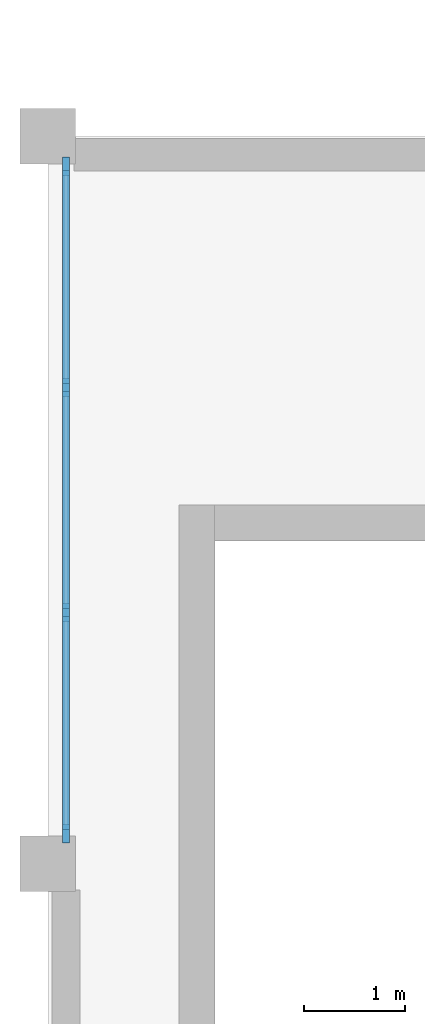
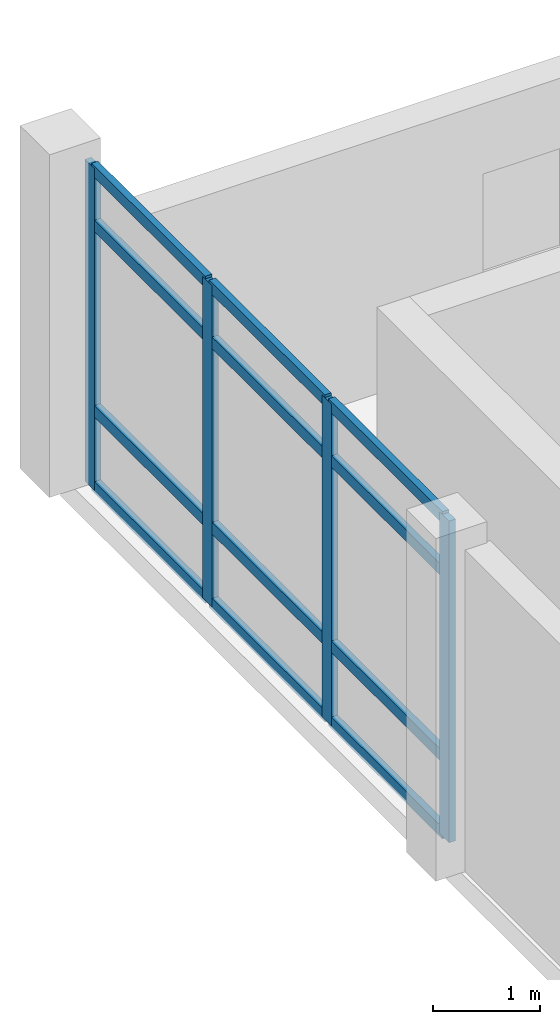
# One storey, part 5 of 32: 16 members, 1 element without a shape of its own.
"""IFC4 building model written with IfcOpenShell, lengths in metres."""

from ifc_helpers import new_model, si_unit, direction, frame, origin, origin_2d, place, context, subcontext, project, spatial, rectangle, extrude, material, layer, layer_set, material_profile, profile_set, type_object, element, aggregate, save


model = new_model("IFC4")

# Units and contexts
model_context = context("Model", 3, precision=1e-05, world=origin(), true_north=direction((0.0, 1.0)))
body_context = subcontext(model_context, "Body", "Model", "MODEL_VIEW")
ifc_project = project(units=[si_unit("LENGTHUNIT", "METRE"), si_unit("AREAUNIT", "SQUARE_METRE"), si_unit("VOLUMEUNIT", "CUBIC_METRE"), si_unit("PLANEANGLEUNIT", "RADIAN"), si_unit("MASSUNIT", "GRAM", prefix="KILO")], contexts=[model_context])

# Site, building, storey
site_placement = place(None, origin())
site = spatial("IfcSite", under=ifc_project, at=site_placement, CompositionType="ELEMENT")
building_placement = place(site_placement, origin())
building = spatial("IfcBuilding", under=site, at=building_placement, Name="Brisavento Harbour Community Centre", CompositionType="ELEMENT")
storey_placement = place(building_placement, frame((0.0, 0.0, 12.89990234375)))
storey = spatial("IfcBuildingStorey", under=building, at=storey_placement, Name="L03", CompositionType="ELEMENT", Elevation=12.89990234375)

# Curtain wall, members
ifc_material = material(Name="Marine-anodised aluminium AW-6063-T6", Category="aluminium")
ifc_layer = layer(ifc_material, 0.179931640625, Name="Marine-anodised aluminium AW-6063-T6")
ifc_layer_set = layer_set([ifc_layer], Name="Marine-anodised aluminium AW-6063-T6")
curtain_wall_type = type_object("IfcCurtainWallType", Name="CW-SYS-10", PredefinedType="USERDEFINED", material=ifc_layer_set)
curtain_wall_placement = place(storey_placement, origin())
curtain_wall = element("IfcCurtainWall", 1, at=curtain_wall_placement, inside=storey, type_object=curtain_wall_type, Name="L03 V1 unitised curtain wall 178", ObjectType="UNITISED CURTAIN WALL", PredefinedType="USERDEFINED")
ifc_material_profile_1 = material_profile(ifc_material, rectangle(XDim=0.070068359375, YDim=0.179931640625, at=origin_2d()), Name="Marine-anodised aluminium AW-6063-T6")
ifc_profile_set_1 = profile_set([ifc_material_profile_1], Name="Marine-anodised aluminium AW-6063-T6")
member_type_1 = type_object("IfcMemberType", Name="CWM-02", PredefinedType="MULLION", material=ifc_profile_set_1)
member_1_placement = place(storey_placement, frame((0.179931640625, 21.89501953125, 0.0), z_axis=(0.0, 0.0, 1.0), x_axis=(-1.0, 0.0, 0.0)))
member_1 = element("IfcMember", 2, at=member_1_placement, type_object=member_type_1, Name="CW-10 mullion 1", PredefinedType="MULLION", context=body_context, shape_type="SweptSolid", body=[
    extrude(rectangle(XDim=0.070068359375, YDim=0.179931640625, at=origin_2d()), origin(), (0.0, 0.0, 1.0), 3.66015625),
])
member_2_placement = place(storey_placement, frame((0.179931640625, 24.086669921875, 0.0), z_axis=(0.0, 0.0, 1.0), x_axis=(-1.0, 0.0, 0.0)))
member_2 = element("IfcMember", 3, at=member_2_placement, type_object=member_type_1, Name="CW-10 mullion 2", PredefinedType="MULLION", context=body_context, shape_type="SweptSolid", body=[
    extrude(rectangle(XDim=0.070068359375, YDim=0.179931640625, at=origin_2d()), origin(), (0.0, 0.0, 1.0), 3.66015625),
])
member_3_placement = place(storey_placement, frame((0.179931640625, 26.313232421875, 0.0), z_axis=(0.0, 0.0, 1.0), x_axis=(-1.0, 0.0, 0.0)))
member_3 = element("IfcMember", 4, at=member_3_placement, type_object=member_type_1, Name="CW-10 mullion 3", PredefinedType="MULLION", context=body_context, shape_type="SweptSolid", body=[
    extrude(rectangle(XDim=0.070068359375, YDim=0.179931640625, at=origin_2d()), origin(), (0.0, 0.0, 1.0), 3.66015625),
])
member_4_placement = place(storey_placement, frame((0.179931640625, 28.5048828125, 0.0), z_axis=(0.0, 0.0, 1.0), x_axis=(-1.0, 0.0, 0.0)))
member_4 = element("IfcMember", 5, at=member_4_placement, type_object=member_type_1, Name="CW-10 mullion 4", PredefinedType="MULLION", context=body_context, shape_type="SweptSolid", body=[
    extrude(rectangle(XDim=0.070068359375, YDim=0.179931640625, at=origin_2d()), origin(), (0.0, 0.0, 1.0), 3.66015625),
])
ifc_material_profile_2 = material_profile(ifc_material, rectangle(XDim=0.070068359375, YDim=0.132080078125, at=origin_2d()), Name="Marine-anodised aluminium AW-6063-T6")
ifc_profile_set_2 = profile_set([ifc_material_profile_2], Name="Marine-anodised aluminium AW-6063-T6")
member_type_2 = type_object("IfcMemberType", Name="CWT-02", PredefinedType="USERDEFINED", material=ifc_profile_set_2)
member_5_placement = place(storey_placement, frame((0.179931640625, 21.929931640625, 0.03515625), z_axis=(0.0, 1.0, 0.0), x_axis=(-1.0, 0.0, 0.0)))
member_5 = element("IfcMember", 6, at=member_5_placement, type_object=member_type_2, Name="CW-10 transom 1.1", ObjectType="TRANSOM", PredefinedType="USERDEFINED", context=body_context, shape_type="SweptSolid", body=[
    extrude(rectangle(XDim=0.070068359375, YDim=0.132080078125, at=origin_2d()), origin(), (0.0, 0.0, 1.0), 2.121826171875),
])
member_6_placement = place(storey_placement, frame((0.179931640625, 21.929931640625, 0.900146484375), z_axis=(0.0, 1.0, 0.0), x_axis=(-1.0, 0.0, 0.0)))
member_6 = element("IfcMember", 7, at=member_6_placement, type_object=member_type_2, Name="CW-10 transom 1.2", ObjectType="TRANSOM", PredefinedType="USERDEFINED", context=body_context, shape_type="SweptSolid", body=[
    extrude(rectangle(XDim=0.070068359375, YDim=0.132080078125, at=origin_2d()), origin(), (0.0, 0.0, 1.0), 2.121826171875),
])
member_7_placement = place(storey_placement, frame((0.179931640625, 21.929931640625, 3.010009765625), z_axis=(0.0, 1.0, 0.0), x_axis=(-1.0, 0.0, 0.0)))
member_7 = element("IfcMember", 8, at=member_7_placement, type_object=member_type_2, Name="CW-10 transom 1.3", ObjectType="TRANSOM", PredefinedType="USERDEFINED", context=body_context, shape_type="SweptSolid", body=[
    extrude(rectangle(XDim=0.070068359375, YDim=0.132080078125, at=origin_2d()), origin(), (0.0, 0.0, 1.0), 2.121826171875),
])
member_8_placement = place(storey_placement, frame((0.179931640625, 21.929931640625, 3.625), z_axis=(0.0, 1.0, 0.0), x_axis=(-1.0, 0.0, 0.0)))
member_8 = element("IfcMember", 9, at=member_8_placement, type_object=member_type_2, Name="CW-10 transom 1.4", ObjectType="TRANSOM", PredefinedType="USERDEFINED", context=body_context, shape_type="SweptSolid", body=[
    extrude(rectangle(XDim=0.070068359375, YDim=0.132080078125, at=origin_2d()), origin(), (0.0, 0.0, 1.0), 2.121826171875),
])
member_9_placement = place(storey_placement, frame((0.179931640625, 24.12158203125, 0.03515625), z_axis=(0.0, 1.0, 0.0), x_axis=(-1.0, 0.0, 0.0)))
member_9 = element("IfcMember", 10, at=member_9_placement, type_object=member_type_2, Name="CW-10 transom 2.1", ObjectType="TRANSOM", PredefinedType="USERDEFINED", context=body_context, shape_type="SweptSolid", body=[
    extrude(rectangle(XDim=0.070068359375, YDim=0.132080078125, at=origin_2d()), origin(), (0.0, 0.0, 1.0), 2.15673828125),
])
member_10_placement = place(storey_placement, frame((0.179931640625, 24.12158203125, 0.900146484375), z_axis=(0.0, 1.0, 0.0), x_axis=(-1.0, 0.0, 0.0)))
member_10 = element("IfcMember", 11, at=member_10_placement, type_object=member_type_2, Name="CW-10 transom 2.2", ObjectType="TRANSOM", PredefinedType="USERDEFINED", context=body_context, shape_type="SweptSolid", body=[
    extrude(rectangle(XDim=0.070068359375, YDim=0.132080078125, at=origin_2d()), origin(), (0.0, 0.0, 1.0), 2.15673828125),
])
member_11_placement = place(storey_placement, frame((0.179931640625, 24.12158203125, 3.010009765625), z_axis=(0.0, 1.0, 0.0), x_axis=(-1.0, 0.0, 0.0)))
member_11 = element("IfcMember", 12, at=member_11_placement, type_object=member_type_2, Name="CW-10 transom 2.3", ObjectType="TRANSOM", PredefinedType="USERDEFINED", context=body_context, shape_type="SweptSolid", body=[
    extrude(rectangle(XDim=0.070068359375, YDim=0.132080078125, at=origin_2d()), origin(), (0.0, 0.0, 1.0), 2.15673828125),
])
member_12_placement = place(storey_placement, frame((0.179931640625, 24.12158203125, 3.625), z_axis=(0.0, 1.0, 0.0), x_axis=(-1.0, 0.0, 0.0)))
member_12 = element("IfcMember", 13, at=member_12_placement, type_object=member_type_2, Name="CW-10 transom 2.4", ObjectType="TRANSOM", PredefinedType="USERDEFINED", context=body_context, shape_type="SweptSolid", body=[
    extrude(rectangle(XDim=0.070068359375, YDim=0.132080078125, at=origin_2d()), origin(), (0.0, 0.0, 1.0), 2.15673828125),
])
member_13_placement = place(storey_placement, frame((0.179931640625, 26.348388671875, 0.03515625), z_axis=(0.0, 1.0, 0.0), x_axis=(-1.0, 0.0, 0.0)))
member_13 = element("IfcMember", 14, at=member_13_placement, type_object=member_type_2, Name="CW-10 transom 3.1", ObjectType="TRANSOM", PredefinedType="USERDEFINED", context=body_context, shape_type="SweptSolid", body=[
    extrude(rectangle(XDim=0.070068359375, YDim=0.132080078125, at=origin_2d()), origin(), (0.0, 0.0, 1.0), 2.12158203125),
])
member_14_placement = place(storey_placement, frame((0.179931640625, 26.348388671875, 0.900146484375), z_axis=(0.0, 1.0, 0.0), x_axis=(-1.0, 0.0, 0.0)))
member_14 = element("IfcMember", 15, at=member_14_placement, type_object=member_type_2, Name="CW-10 transom 3.2", ObjectType="TRANSOM", PredefinedType="USERDEFINED", context=body_context, shape_type="SweptSolid", body=[
    extrude(rectangle(XDim=0.070068359375, YDim=0.132080078125, at=origin_2d()), origin(), (0.0, 0.0, 1.0), 2.12158203125),
])
member_15_placement = place(storey_placement, frame((0.179931640625, 26.348388671875, 3.010009765625), z_axis=(0.0, 1.0, 0.0), x_axis=(-1.0, 0.0, 0.0)))
member_15 = element("IfcMember", 16, at=member_15_placement, type_object=member_type_2, Name="CW-10 transom 3.3", ObjectType="TRANSOM", PredefinedType="USERDEFINED", context=body_context, shape_type="SweptSolid", body=[
    extrude(rectangle(XDim=0.070068359375, YDim=0.132080078125, at=origin_2d()), origin(), (0.0, 0.0, 1.0), 2.12158203125),
])
member_16_placement = place(storey_placement, frame((0.179931640625, 26.348388671875, 3.625), z_axis=(0.0, 1.0, 0.0), x_axis=(-1.0, 0.0, 0.0)))
member_16 = element("IfcMember", 17, at=member_16_placement, type_object=member_type_2, Name="CW-10 transom 3.4", ObjectType="TRANSOM", PredefinedType="USERDEFINED", context=body_context, shape_type="SweptSolid", body=[
    extrude(rectangle(XDim=0.070068359375, YDim=0.132080078125, at=origin_2d()), origin(), (0.0, 0.0, 1.0), 2.12158203125),
])
aggregate(curtain_wall, [member_1, member_2, member_3, member_4, member_5, member_6, member_7, member_8, member_9, member_10, member_11, member_12, member_13, member_14, member_15, member_16])

save(model, "model.ifc")
